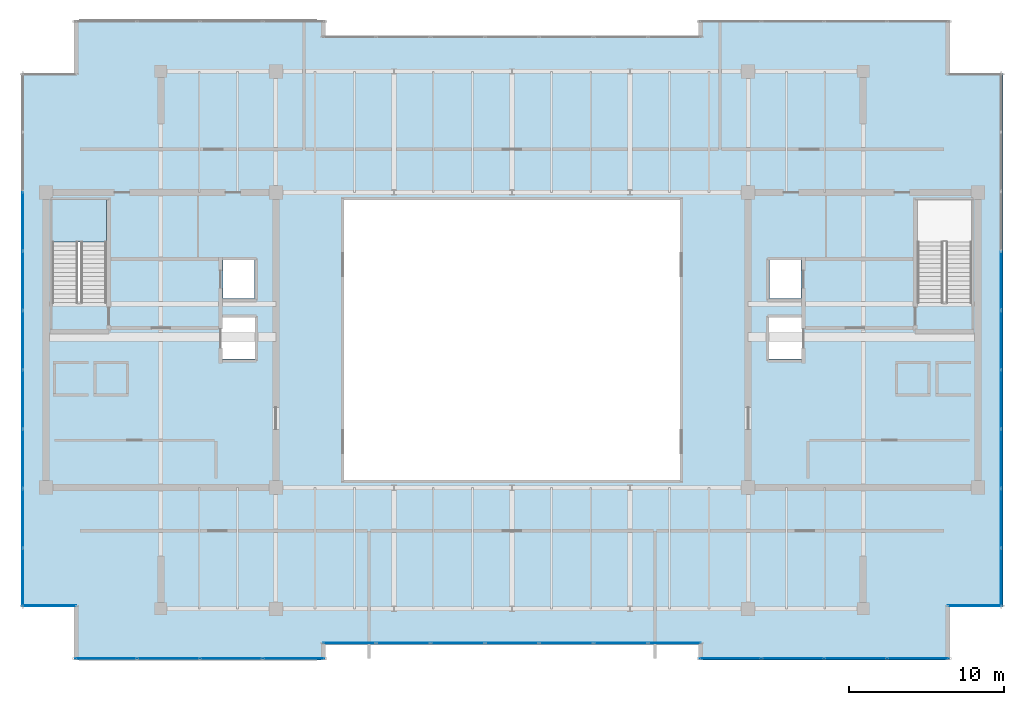
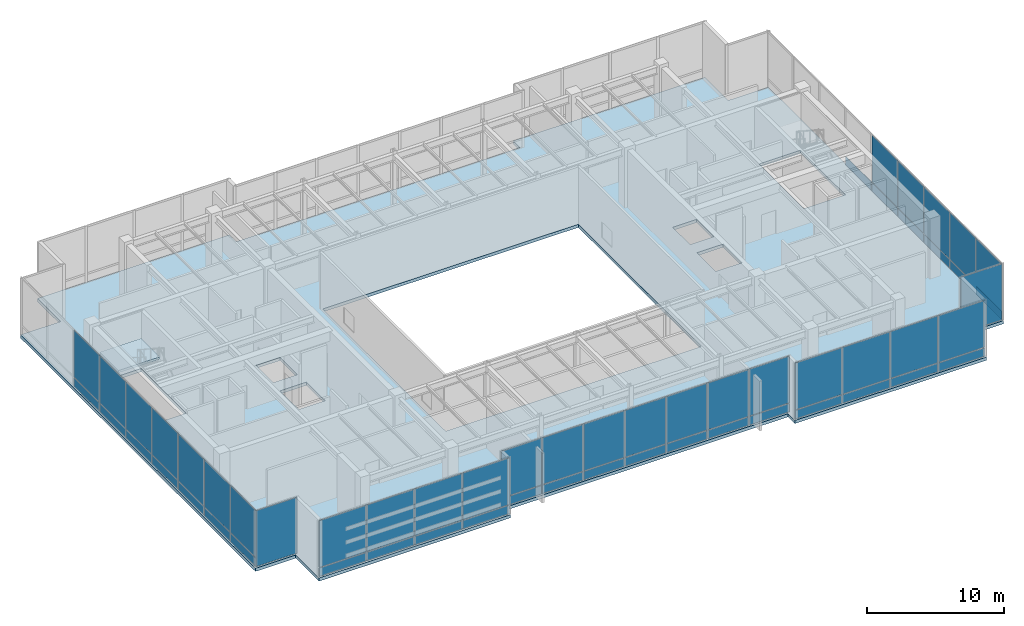
# One storey, part 23 of 30: 57 plates, 2 slabs, 8 elements without a shape of their own.
"""IFC4 building model written with IfcOpenShell, lengths in metres."""

from ifc_helpers import new_model, si_unit, direction, frame, origin, origin_2d, place, context, subcontext, project, spatial, polyline, rectangle, outline, extrude, source, transform, mapped, material, layer, layer_set, type_object, type_shapes, element, aggregate, save


model = new_model("IFC4")

# Units and contexts
model_context = context("Model", 3, precision=1e-05, world=origin(), true_north=direction((0.0, 1.0)))
body_context = subcontext(model_context, "Body", "Model", "MODEL_VIEW")
ifc_project = project(units=[si_unit("LENGTHUNIT", "METRE"), si_unit("AREAUNIT", "SQUARE_METRE"), si_unit("VOLUMEUNIT", "CUBIC_METRE"), si_unit("PLANEANGLEUNIT", "RADIAN"), si_unit("MASSUNIT", "GRAM", prefix="KILO")], contexts=[model_context])

# Site, building, storey
site_placement = place(None, origin())
site = spatial("IfcSite", under=ifc_project, at=site_placement, CompositionType="ELEMENT")
building_placement = place(site_placement, origin())
building = spatial("IfcBuilding", under=site, at=building_placement, Name="Haelvirn Gate Laboratories", CompositionType="ELEMENT")
storey_placement = place(building_placement, frame((0.0, 0.0, 327.0)))
storey = spatial("IfcBuildingStorey", under=building, at=storey_placement, Name="L78", CompositionType="ELEMENT", Elevation=327.0)

# Slab
ifc_material_1 = material(Name="Concrete C40/50", Category="concrete")
ifc_layer_1 = layer(ifc_material_1, 0.280029296875, Name="SL-CRN-280")
ifc_layer_set_1 = layer_set([ifc_layer_1], Name="Concrete C40/50")
slab_type_1 = type_object("IfcSlabType", Name="SL-CRN-280", PredefinedType="FLOOR", material=ifc_layer_set_1)
slab_1_placement = place(storey_placement, frame((0.0, 0.0, -0.280029296875)))
element("IfcSlab", 1, at=slab_1_placement, inside=storey, type_object=slab_type_1, Name="L78 Structural Slab MAIN", PredefinedType="FLOOR", context=body_context, shape_type="SweptSolid", body=[
    extrude(outline(polyline([(9.199951171875, 3.699951171875), (25.39990234375, 3.699951171875), (25.39990234375, 4.699951171875), (49.39990234375, 4.699951171875), (49.39990234375, 3.699951171875), (65.60009765625, 3.699951171875), (65.60009765625, 7.10009765625), (69.0, 7.10009765625), (69.0, 41.5), (65.60009765625, 41.5), (65.60009765625, 44.89990234375), (49.39990234375, 44.89990234375), (49.39990234375, 43.89990234375), (25.39990234375, 43.89990234375), (25.39990234375, 44.89990234375), (9.199951171875, 44.89990234375), (9.199951171875, 41.5), (5.800048828125, 41.5), (5.800048828125, 7.10009765625), (9.199951171875, 7.10009765625), (9.199951171875, 3.699951171875)]), holes=[polyline([(26.60009765625, 15.300048828125), (48.199951171875, 15.300048828125), (48.199951171875, 33.300048828125), (26.60009765625, 33.300048828125), (26.60009765625, 15.300048828125)]), polyline([(11.300048828125, 26.780029296875), (11.300048828125, 33.35009765625), (7.800048828125, 33.35009765625), (7.800048828125, 26.780029296875), (11.300048828125, 26.780029296875)]), polyline([(67.0, 26.780029296875), (67.0, 33.35009765625), (63.5, 33.35009765625), (63.5, 26.780029296875), (67.0, 26.780029296875)]), polyline([(18.7900390625, 26.969970703125), (20.81005859375, 26.969970703125), (20.81005859375, 29.510009765625), (18.7900390625, 29.510009765625), (18.7900390625, 26.969970703125)]), polyline([(18.68994140625, 23.070068359375), (20.909912109375, 23.070068359375), (20.909912109375, 25.81005859375), (18.68994140625, 25.81005859375), (18.68994140625, 23.070068359375)]), polyline([(53.989990234375, 26.969970703125), (56.010009765625, 26.969970703125), (56.010009765625, 29.510009765625), (53.989990234375, 29.510009765625), (53.989990234375, 26.969970703125)]), polyline([(53.889892578125, 23.070068359375), (56.110107421875, 23.070068359375), (56.110107421875, 25.81005859375), (53.889892578125, 25.81005859375), (53.889892578125, 23.070068359375)])]), origin(), (0.0, 0.0, 1.0), 0.280029296875),
])

# Stair, slab
stair_type = type_object("IfcStairType", Name="ST-DOG-1650-R30", PredefinedType="HALF_TURN_STAIR", material=ifc_material_1)
stair_placement = place(storey_placement, origin())
stair = element("IfcStair", 2, at=stair_placement, inside=storey, type_object=stair_type, Name="L78 Escape Stair ST1", PredefinedType="HALF_TURN_STAIR")
ifc_layer_2 = layer(ifc_material_1, 0.199951171875, Name="SL-STAIR-LND")
ifc_layer_set_2 = layer_set([ifc_layer_2], Name="Concrete C40/50")
slab_type_2 = type_object("IfcSlabType", Name="SL-STAIR-LND", PredefinedType="LANDING", material=ifc_layer_set_2)
slab_2_placement = place(storey_placement, frame((0.0, 0.0, 2.5)))
slab_2 = element("IfcSlab", 3, at=slab_2_placement, type_object=slab_type_2, Name="ST1 landing 1", PredefinedType="LANDING", context=body_context, shape_type="SweptSolid", body=[
    extrude(outline(polyline([(11.300048828125, 30.6201171875), (11.300048828125, 33.35009765625), (7.800048828125, 33.35009765625), (7.800048828125, 30.6201171875), (11.300048828125, 30.6201171875)])), origin(), (0.0, 0.0, 1.0), 0.199951171875),
])
aggregate(stair, [slab_2])

# Curtain wall, plates
ifc_material_2 = material(Name="Anodised bronze unitised aluminium & triple low-E glass", Category="aluminium")
ifc_layer_3 = layer(ifc_material_2, 0.19189453125, Name="CW-SYS-6")
ifc_layer_set_3 = layer_set([ifc_layer_3], Name="Anodised bronze unitised aluminium & triple low-E glass")
curtain_wall_type_1 = type_object("IfcCurtainWallType", Name="CW-SYS-6", PredefinedType="NOTDEFINED", material=ifc_layer_set_3)
curtain_wall_1_placement = place(storey_placement, origin())
curtain_wall_1 = element("IfcCurtainWall", 4, at=curtain_wall_1_placement, inside=storey, type_object=curtain_wall_type_1, Name="L78 Unitised Curtain Wall CW-L78-P0-E00-1", PredefinedType="NOTDEFINED")
ifc_material_3 = material(Name="Ceramic-fritted bronze acoustic crown glazing 52 mm", Category="glass")
ifc_layer_4 = layer(ifc_material_3, 0.052001953125, Name="CWP-FRT-52")
ifc_layer_set_4 = layer_set([ifc_layer_4], Name="Ceramic-fritted bronze acoustic crown glazing 52 mm")
plate_type_1 = type_object("IfcPlateType", Name="CWP-FRT-52", PredefinedType="CURTAIN_PANEL", material=ifc_layer_set_4)
shared_shape_1 = source(origin(), body_context, "Body", "SweptSolid", [
    extrude(rectangle(XDim=3.929931640625, YDim=0.052001953125, at=origin_2d()), origin(), (0.0, 0.0, 1.0), 0.7451171875),
])
plate_1_placement = place(storey_placement, frame((11.2451171875, 3.800048828125, 0.06982421875), z_axis=(0.0, 0.0, 1.0), x_axis=(1.0, 0.0, 0.0)))
plate_1 = element("IfcPlate", 5, at=plate_1_placement, type_object=plate_type_1, Name="CW6 panel 1.1", PredefinedType="CURTAIN_PANEL", context=body_context, shape_type="MappedRepresentation", body=[
    mapped(shared_shape_1, transform((0.0, 0.0, 0.0), scale=1.0)),
])
plate_2_placement = place(storey_placement, frame((23.35498046875, 3.800048828125, 0.06982421875), z_axis=(0.0, 0.0, 1.0), x_axis=(1.0, 0.0, 0.0)))
plate_2 = element("IfcPlate", 6, at=plate_2_placement, type_object=plate_type_1, Name="CW6 panel 4.1", PredefinedType="CURTAIN_PANEL", context=body_context, shape_type="MappedRepresentation", body=[
    mapped(shared_shape_1, transform((0.0, 0.0, 0.0), scale=1.0)),
])

curtain_wall_2_placement = place(storey_placement, origin())
curtain_wall_2 = element("IfcCurtainWall", 7, at=curtain_wall_2_placement, inside=storey, type_object=curtain_wall_type_1, Name="L78 Unitised Curtain Wall CW-L78-P0-E04-1", PredefinedType="NOTDEFINED")
plate_3_placement = place(storey_placement, frame((51.445068359375, 3.800048828125, 0.06982421875), z_axis=(0.0, 0.0, 1.0), x_axis=(1.0, 0.0, 0.0)))
plate_3 = element("IfcPlate", 8, at=plate_3_placement, type_object=plate_type_1, Name="CW6 panel 1.1", PredefinedType="CURTAIN_PANEL", context=body_context, shape_type="MappedRepresentation", body=[
    mapped(shared_shape_1, transform((0.0, 0.0, 0.0), scale=1.0)),
])
plate_4_placement = place(storey_placement, frame((63.554931640625, 3.800048828125, 0.06982421875), z_axis=(0.0, 0.0, 1.0), x_axis=(1.0, 0.0, 0.0)))
plate_4 = element("IfcPlate", 9, at=plate_4_placement, type_object=plate_type_1, Name="CW6 panel 4.1", PredefinedType="CURTAIN_PANEL", context=body_context, shape_type="MappedRepresentation", body=[
    mapped(shared_shape_1, transform((0.0, 0.0, 0.0), scale=1.0)),
])

# Plate
shared_shape_2 = source(origin(), body_context, "Body", "SweptSolid", [
    extrude(rectangle(XDim=3.929931640625, YDim=0.052001953125, at=origin_2d()), origin(), (0.0, 0.0, 1.0), 4.1650390625),
])
plate_5_placement = place(storey_placement, frame((11.2451171875, 3.800048828125, 0.885009765625), z_axis=(0.0, 0.0, 1.0), x_axis=(1.0, 0.0, 0.0)))
plate_5 = element("IfcPlate", 10, at=plate_5_placement, type_object=plate_type_1, Name="CW6 panel 1.2", PredefinedType="CURTAIN_PANEL", context=body_context, shape_type="MappedRepresentation", body=[
    mapped(shared_shape_2, transform((0.0, 0.0, 0.0), scale=1.0)),
])

plate_6_placement = place(storey_placement, frame((23.35498046875, 3.800048828125, 0.885009765625), z_axis=(0.0, 0.0, 1.0), x_axis=(1.0, 0.0, 0.0)))
plate_6 = element("IfcPlate", 11, at=plate_6_placement, type_object=plate_type_1, Name="CW6 panel 4.2", PredefinedType="CURTAIN_PANEL", context=body_context, shape_type="MappedRepresentation", body=[
    mapped(shared_shape_2, transform((0.0, 0.0, 0.0), scale=1.0)),
])

plate_7_placement = place(storey_placement, frame((51.445068359375, 3.800048828125, 0.885009765625), z_axis=(0.0, 0.0, 1.0), x_axis=(1.0, 0.0, 0.0)))
plate_7 = element("IfcPlate", 12, at=plate_7_placement, type_object=plate_type_1, Name="CW6 panel 1.2", PredefinedType="CURTAIN_PANEL", context=body_context, shape_type="MappedRepresentation", body=[
    mapped(shared_shape_2, transform((0.0, 0.0, 0.0), scale=1.0)),
])

plate_8_placement = place(storey_placement, frame((63.554931640625, 3.800048828125, 0.885009765625), z_axis=(0.0, 0.0, 1.0), x_axis=(1.0, 0.0, 0.0)))
plate_8 = element("IfcPlate", 13, at=plate_8_placement, type_object=plate_type_1, Name="CW6 panel 4.2", PredefinedType="CURTAIN_PANEL", context=body_context, shape_type="MappedRepresentation", body=[
    mapped(shared_shape_2, transform((0.0, 0.0, 0.0), scale=1.0)),
])

shared_shape_3 = source(origin(), body_context, "Body", "SweptSolid", [
    extrude(rectangle(XDim=3.969970703125, YDim=0.052001953125, at=origin_2d()), origin(), (0.0, 0.0, 1.0), 0.7451171875),
])
plate_9_placement = place(storey_placement, frame((15.27490234375, 3.800048828125, 0.06982421875), z_axis=(0.0, 0.0, 1.0), x_axis=(1.0, 0.0, 0.0)))
plate_9 = element("IfcPlate", 14, at=plate_9_placement, type_object=plate_type_1, Name="CW6 panel 2.1", PredefinedType="CURTAIN_PANEL", context=body_context, shape_type="MappedRepresentation", body=[
    mapped(shared_shape_3, transform((0.0, 0.0, 0.0), scale=1.0)),
])

plate_10_placement = place(storey_placement, frame((19.324951171875, 3.800048828125, 0.06982421875), z_axis=(0.0, 0.0, 1.0), x_axis=(1.0, 0.0, 0.0)))
plate_10 = element("IfcPlate", 15, at=plate_10_placement, type_object=plate_type_1, Name="CW6 panel 3.1", PredefinedType="CURTAIN_PANEL", context=body_context, shape_type="MappedRepresentation", body=[
    mapped(shared_shape_3, transform((0.0, 0.0, 0.0), scale=1.0)),
])

plate_11_placement = place(storey_placement, frame((55.47509765625, 3.800048828125, 0.06982421875), z_axis=(0.0, 0.0, 1.0), x_axis=(1.0, 0.0, 0.0)))
plate_11 = element("IfcPlate", 16, at=plate_11_placement, type_object=plate_type_1, Name="CW6 panel 2.1", PredefinedType="CURTAIN_PANEL", context=body_context, shape_type="MappedRepresentation", body=[
    mapped(shared_shape_3, transform((0.0, 0.0, 0.0), scale=1.0)),
])

plate_12_placement = place(storey_placement, frame((59.52490234375, 3.800048828125, 0.06982421875), z_axis=(0.0, 0.0, 1.0), x_axis=(1.0, 0.0, 0.0)))
plate_12 = element("IfcPlate", 17, at=plate_12_placement, type_object=plate_type_1, Name="CW6 panel 3.1", PredefinedType="CURTAIN_PANEL", context=body_context, shape_type="MappedRepresentation", body=[
    mapped(shared_shape_3, transform((0.0, 0.0, 0.0), scale=1.0)),
])

shared_shape_4 = source(origin(), body_context, "Body", "SweptSolid", [
    extrude(rectangle(XDim=3.969970703125, YDim=0.052001953125, at=origin_2d()), origin(), (0.0, 0.0, 1.0), 4.1650390625),
])
plate_13_placement = place(storey_placement, frame((15.27490234375, 3.800048828125, 0.885009765625), z_axis=(0.0, 0.0, 1.0), x_axis=(1.0, 0.0, 0.0)))
plate_13 = element("IfcPlate", 18, at=plate_13_placement, type_object=plate_type_1, Name="CW6 panel 2.2", PredefinedType="CURTAIN_PANEL", context=body_context, shape_type="MappedRepresentation", body=[
    mapped(shared_shape_4, transform((0.0, 0.0, 0.0), scale=1.0)),
])

plate_14_placement = place(storey_placement, frame((19.324951171875, 3.800048828125, 0.885009765625), z_axis=(0.0, 0.0, 1.0), x_axis=(1.0, 0.0, 0.0)))
plate_14 = element("IfcPlate", 19, at=plate_14_placement, type_object=plate_type_1, Name="CW6 panel 3.2", PredefinedType="CURTAIN_PANEL", context=body_context, shape_type="MappedRepresentation", body=[
    mapped(shared_shape_4, transform((0.0, 0.0, 0.0), scale=1.0)),
])

aggregate(curtain_wall_1, [plate_1, plate_5, plate_9, plate_13, plate_10, plate_14, plate_2, plate_6])

plate_15_placement = place(storey_placement, frame((55.47509765625, 3.800048828125, 0.885009765625), z_axis=(0.0, 0.0, 1.0), x_axis=(1.0, 0.0, 0.0)))
plate_15 = element("IfcPlate", 20, at=plate_15_placement, type_object=plate_type_1, Name="CW6 panel 2.2", PredefinedType="CURTAIN_PANEL", context=body_context, shape_type="MappedRepresentation", body=[
    mapped(shared_shape_4, transform((0.0, 0.0, 0.0), scale=1.0)),
])

plate_16_placement = place(storey_placement, frame((59.52490234375, 3.800048828125, 0.885009765625), z_axis=(0.0, 0.0, 1.0), x_axis=(1.0, 0.0, 0.0)))
plate_16 = element("IfcPlate", 21, at=plate_16_placement, type_object=plate_type_1, Name="CW6 panel 3.2", PredefinedType="CURTAIN_PANEL", context=body_context, shape_type="MappedRepresentation", body=[
    mapped(shared_shape_4, transform((0.0, 0.0, 0.0), scale=1.0)),
])

aggregate(curtain_wall_2, [plate_3, plate_7, plate_11, plate_15, plate_12, plate_16, plate_4, plate_8])

# Curtain wall, plates
curtain_wall_3_placement = place(storey_placement, origin())
curtain_wall_3 = element("IfcCurtainWall", 22, at=curtain_wall_3_placement, inside=storey, type_object=curtain_wall_type_1, Name="L78 Unitised Curtain Wall CW-L78-P0-E02-1", PredefinedType="NOTDEFINED")
shared_shape_5 = source(origin(), body_context, "Body", "SweptSolid", [
    extrude(rectangle(XDim=3.377197265625, YDim=0.052001953125, at=origin_2d()), origin(), (0.0, 0.0, 1.0), 0.7451171875),
])
plate_17_placement = place(storey_placement, frame((26.928466796875, 4.800048828125, 0.06982421875), z_axis=(0.0, 0.0, 1.0), x_axis=(1.0, 0.0, 0.0)))
plate_17 = element("IfcPlate", 23, at=plate_17_placement, type_object=plate_type_1, Name="CW6 panel 1.1", PredefinedType="CURTAIN_PANEL", context=body_context, shape_type="MappedRepresentation", body=[
    mapped(shared_shape_5, transform((0.0, 0.0, 0.0), scale=1.0)),
])
plate_18_placement = place(storey_placement, frame((47.871337890625, 4.800048828125, 0.06982421875), z_axis=(0.0, 0.0, 1.0), x_axis=(1.0, 0.0, 0.0)))
plate_18 = element("IfcPlate", 24, at=plate_18_placement, type_object=plate_type_1, Name="CW6 panel 7.1", PredefinedType="CURTAIN_PANEL", context=body_context, shape_type="MappedRepresentation", body=[
    mapped(shared_shape_5, transform((0.0, 0.0, 0.0), scale=1.0)),
])
shared_shape_6 = source(origin(), body_context, "Body", "SweptSolid", [
    extrude(rectangle(XDim=3.377197265625, YDim=0.052001953125, at=origin_2d()), origin(), (0.0, 0.0, 1.0), 4.1650390625),
])
plate_19_placement = place(storey_placement, frame((26.928466796875, 4.800048828125, 0.885009765625), z_axis=(0.0, 0.0, 1.0), x_axis=(1.0, 0.0, 0.0)))
plate_19 = element("IfcPlate", 25, at=plate_19_placement, type_object=plate_type_1, Name="CW6 panel 1.2", PredefinedType="CURTAIN_PANEL", context=body_context, shape_type="MappedRepresentation", body=[
    mapped(shared_shape_6, transform((0.0, 0.0, 0.0), scale=1.0)),
])
plate_20_placement = place(storey_placement, frame((47.871337890625, 4.800048828125, 0.885009765625), z_axis=(0.0, 0.0, 1.0), x_axis=(1.0, 0.0, 0.0)))
plate_20 = element("IfcPlate", 26, at=plate_20_placement, type_object=plate_type_1, Name="CW6 panel 7.2", PredefinedType="CURTAIN_PANEL", context=body_context, shape_type="MappedRepresentation", body=[
    mapped(shared_shape_6, transform((0.0, 0.0, 0.0), scale=1.0)),
])
shared_shape_7 = source(origin(), body_context, "Body", "SweptSolid", [
    extrude(rectangle(XDim=3.417236328125, YDim=0.052001953125, at=origin_2d()), origin(), (0.0, 0.0, 1.0), 0.7451171875),
])
plate_21_placement = place(storey_placement, frame((30.40576171875, 4.800048828125, 0.06982421875), z_axis=(0.0, 0.0, 1.0), x_axis=(1.0, 0.0, 0.0)))
plate_21 = element("IfcPlate", 27, at=plate_21_placement, type_object=plate_type_1, Name="CW6 panel 2.1", PredefinedType="CURTAIN_PANEL", context=body_context, shape_type="MappedRepresentation", body=[
    mapped(shared_shape_7, transform((0.0, 0.0, 0.0), scale=1.0)),
])
plate_22_placement = place(storey_placement, frame((33.90283203125, 4.800048828125, 0.06982421875), z_axis=(0.0, 0.0, 1.0), x_axis=(1.0, 0.0, 0.0)))
plate_22 = element("IfcPlate", 28, at=plate_22_placement, type_object=plate_type_1, Name="CW6 panel 3.1", PredefinedType="CURTAIN_PANEL", context=body_context, shape_type="MappedRepresentation", body=[
    mapped(shared_shape_7, transform((0.0, 0.0, 0.0), scale=1.0)),
])
plate_23_placement = place(storey_placement, frame((37.39990234375, 4.800048828125, 0.06982421875), z_axis=(0.0, 0.0, 1.0), x_axis=(1.0, 0.0, 0.0)))
plate_23 = element("IfcPlate", 29, at=plate_23_placement, type_object=plate_type_1, Name="CW6 panel 4.1", PredefinedType="CURTAIN_PANEL", context=body_context, shape_type="MappedRepresentation", body=[
    mapped(shared_shape_7, transform((0.0, 0.0, 0.0), scale=1.0)),
])
plate_24_placement = place(storey_placement, frame((40.897216796875, 4.800048828125, 0.06982421875), z_axis=(0.0, 0.0, 1.0), x_axis=(1.0, 0.0, 0.0)))
plate_24 = element("IfcPlate", 30, at=plate_24_placement, type_object=plate_type_1, Name="CW6 panel 5.1", PredefinedType="CURTAIN_PANEL", context=body_context, shape_type="MappedRepresentation", body=[
    mapped(shared_shape_7, transform((0.0, 0.0, 0.0), scale=1.0)),
])
plate_25_placement = place(storey_placement, frame((44.394287109375, 4.800048828125, 0.06982421875), z_axis=(0.0, 0.0, 1.0), x_axis=(1.0, 0.0, 0.0)))
plate_25 = element("IfcPlate", 31, at=plate_25_placement, type_object=plate_type_1, Name="CW6 panel 6.1", PredefinedType="CURTAIN_PANEL", context=body_context, shape_type="MappedRepresentation", body=[
    mapped(shared_shape_7, transform((0.0, 0.0, 0.0), scale=1.0)),
])
shared_shape_8 = source(origin(), body_context, "Body", "SweptSolid", [
    extrude(rectangle(XDim=3.417236328125, YDim=0.052001953125, at=origin_2d()), origin(), (0.0, 0.0, 1.0), 4.1650390625),
])
plate_26_placement = place(storey_placement, frame((30.40576171875, 4.800048828125, 0.885009765625), z_axis=(0.0, 0.0, 1.0), x_axis=(1.0, 0.0, 0.0)))
plate_26 = element("IfcPlate", 32, at=plate_26_placement, type_object=plate_type_1, Name="CW6 panel 2.2", PredefinedType="CURTAIN_PANEL", context=body_context, shape_type="MappedRepresentation", body=[
    mapped(shared_shape_8, transform((0.0, 0.0, 0.0), scale=1.0)),
])
plate_27_placement = place(storey_placement, frame((33.90283203125, 4.800048828125, 0.885009765625), z_axis=(0.0, 0.0, 1.0), x_axis=(1.0, 0.0, 0.0)))
plate_27 = element("IfcPlate", 33, at=plate_27_placement, type_object=plate_type_1, Name="CW6 panel 3.2", PredefinedType="CURTAIN_PANEL", context=body_context, shape_type="MappedRepresentation", body=[
    mapped(shared_shape_8, transform((0.0, 0.0, 0.0), scale=1.0)),
])
plate_28_placement = place(storey_placement, frame((37.39990234375, 4.800048828125, 0.885009765625), z_axis=(0.0, 0.0, 1.0), x_axis=(1.0, 0.0, 0.0)))
plate_28 = element("IfcPlate", 34, at=plate_28_placement, type_object=plate_type_1, Name="CW6 panel 4.2", PredefinedType="CURTAIN_PANEL", context=body_context, shape_type="MappedRepresentation", body=[
    mapped(shared_shape_8, transform((0.0, 0.0, 0.0), scale=1.0)),
])
plate_29_placement = place(storey_placement, frame((40.897216796875, 4.800048828125, 0.885009765625), z_axis=(0.0, 0.0, 1.0), x_axis=(1.0, 0.0, 0.0)))
plate_29 = element("IfcPlate", 35, at=plate_29_placement, type_object=plate_type_1, Name="CW6 panel 5.2", PredefinedType="CURTAIN_PANEL", context=body_context, shape_type="MappedRepresentation", body=[
    mapped(shared_shape_8, transform((0.0, 0.0, 0.0), scale=1.0)),
])
plate_30_placement = place(storey_placement, frame((44.394287109375, 4.800048828125, 0.885009765625), z_axis=(0.0, 0.0, 1.0), x_axis=(1.0, 0.0, 0.0)))
plate_30 = element("IfcPlate", 36, at=plate_30_placement, type_object=plate_type_1, Name="CW6 panel 6.2", PredefinedType="CURTAIN_PANEL", context=body_context, shape_type="MappedRepresentation", body=[
    mapped(shared_shape_8, transform((0.0, 0.0, 0.0), scale=1.0)),
])
aggregate(curtain_wall_3, [plate_17, plate_19, plate_21, plate_26, plate_22, plate_27, plate_23, plate_28, plate_24, plate_29, plate_25, plate_30, plate_18, plate_20])

# Curtain wall, plate
ifc_layer_5 = layer(ifc_material_2, 0.181884765625, Name="CW-SYS-5")
ifc_layer_set_5 = layer_set([ifc_layer_5], Name="Anodised bronze unitised aluminium & triple low-E glass")
curtain_wall_type_2 = type_object("IfcCurtainWallType", Name="CW-SYS-5", PredefinedType="NOTDEFINED", material=ifc_layer_set_5)
curtain_wall_4_placement = place(storey_placement, origin())
curtain_wall_4 = element("IfcCurtainWall", 37, at=curtain_wall_4_placement, inside=storey, type_object=curtain_wall_type_2, Name="L78 Unitised Curtain Wall CW-L78-P0-E06-1", PredefinedType="NOTDEFINED")
ifc_material_4 = material(Name="Clear low-iron notched-corner triple IGU 42 mm", Category="glass")
ifc_layer_6 = layer(ifc_material_4, 0.0419921875, Name="CWP-NTC-42")
ifc_layer_set_6 = layer_set([ifc_layer_6], Name="Clear low-iron notched-corner triple IGU 42 mm")
plate_type_2 = type_object("IfcPlateType", Name="CWP-NTC-42", PredefinedType="CURTAIN_PANEL", material=ifc_layer_set_6)
shared_shape_9 = source(origin(), body_context, "Body", "SweptSolid", [
    extrude(rectangle(XDim=3.47998046875, YDim=0.0419921875, at=origin_2d()), origin(), (0.0, 0.0, 1.0), 4.989990234375),
])
type_shapes(plate_type_2, [shared_shape_9])
plate_31_placement = place(storey_placement, frame((67.179931640625, 7.199951171875, 0.06494140625), z_axis=(0.0, 0.0, 1.0), x_axis=(1.0, 0.0, 0.0)))
plate_31 = element("IfcPlate", 38, at=plate_31_placement, type_object=plate_type_2, Name="CW5 panel 1.1", PredefinedType="CURTAIN_PANEL", context=body_context, shape_type="MappedRepresentation", body=[
    mapped(shared_shape_9, transform((0.0, 0.0, 0.0), scale=1.0)),
])
aggregate(curtain_wall_4, [plate_31])

curtain_wall_5_placement = place(storey_placement, origin())
curtain_wall_5 = element("IfcCurtainWall", 39, at=curtain_wall_5_placement, inside=storey, type_object=curtain_wall_type_2, Name="L78 Unitised Curtain Wall CW-L78-P0-E18-1", PredefinedType="NOTDEFINED")
plate_32_placement = place(storey_placement, frame((7.6201171875, 7.199951171875, 0.06494140625), z_axis=(0.0, 0.0, 1.0), x_axis=(1.0, 0.0, 0.0)))
plate_32 = element("IfcPlate", 40, at=plate_32_placement, type_object=plate_type_2, Name="CW5 panel 1.1", PredefinedType="CURTAIN_PANEL", context=body_context, shape_type="MappedRepresentation", body=[
    mapped(shared_shape_9, transform((0.0, 0.0, 0.0), scale=1.0)),
])
aggregate(curtain_wall_5, [plate_32])

curtain_wall_6_placement = place(storey_placement, origin())
curtain_wall_6 = element("IfcCurtainWall", 41, at=curtain_wall_6_placement, inside=storey, type_object=curtain_wall_type_1, Name="L78 Unitised Curtain Wall CW-L78-P0-E07", PredefinedType="NOTDEFINED")
shared_shape_10 = source(origin(), body_context, "Body", "SweptSolid", [
    extrude(rectangle(XDim=3.7021484375, YDim=0.052001953125, at=origin_2d()), origin(), (0.0, 0.0, 1.0), 0.7451171875),
])
plate_33_placement = place(storey_placement, frame((68.89990234375, 9.031005859375, 0.06982421875), z_axis=(0.0, 0.0, 1.0), x_axis=(0.0, 1.0, 0.0)))
plate_33 = element("IfcPlate", 42, at=plate_33_placement, type_object=plate_type_1, Name="CW6 panel 1.1", PredefinedType="CURTAIN_PANEL", context=body_context, shape_type="MappedRepresentation", body=[
    mapped(shared_shape_10, transform((0.0, 0.0, 0.0), scale=1.0)),
])

curtain_wall_7_placement = place(storey_placement, origin())
curtain_wall_7 = element("IfcCurtainWall", 43, at=curtain_wall_7_placement, inside=storey, type_object=curtain_wall_type_1, Name="L78 Unitised Curtain Wall CW-L78-P0-E17", PredefinedType="NOTDEFINED")
plate_34_placement = place(storey_placement, frame((5.89990234375, 9.031005859375, 0.06982421875), z_axis=(0.0, 0.0, 1.0), x_axis=(0.0, -1.0, 0.0)))
plate_34 = element("IfcPlate", 44, at=plate_34_placement, type_object=plate_type_1, Name="CW6 panel 9.1", PredefinedType="CURTAIN_PANEL", context=body_context, shape_type="MappedRepresentation", body=[
    mapped(shared_shape_10, transform((0.0, 0.0, 0.0), scale=1.0)),
])

# Plate
shared_shape_11 = source(origin(), body_context, "Body", "SweptSolid", [
    extrude(rectangle(XDim=3.7021484375, YDim=0.052001953125, at=origin_2d()), origin(), (0.0, 0.0, 1.0), 4.1650390625),
])
plate_35_placement = place(storey_placement, frame((68.89990234375, 9.031005859375, 0.885009765625), z_axis=(0.0, 0.0, 1.0), x_axis=(0.0, 1.0, 0.0)))
plate_35 = element("IfcPlate", 45, at=plate_35_placement, type_object=plate_type_1, Name="CW6 panel 1.2", PredefinedType="CURTAIN_PANEL", context=body_context, shape_type="MappedRepresentation", body=[
    mapped(shared_shape_11, transform((0.0, 0.0, 0.0), scale=1.0)),
])

plate_36_placement = place(storey_placement, frame((5.89990234375, 9.031005859375, 0.885009765625), z_axis=(0.0, 0.0, 1.0), x_axis=(0.0, -1.0, 0.0)))
plate_36 = element("IfcPlate", 46, at=plate_36_placement, type_object=plate_type_1, Name="CW6 panel 9.2", PredefinedType="CURTAIN_PANEL", context=body_context, shape_type="MappedRepresentation", body=[
    mapped(shared_shape_11, transform((0.0, 0.0, 0.0), scale=1.0)),
])

shared_shape_12 = source(origin(), body_context, "Body", "SweptSolid", [
    extrude(rectangle(XDim=3.7421875, YDim=0.052001953125, at=origin_2d()), origin(), (0.0, 0.0, 1.0), 0.7451171875),
])
plate_37_placement = place(storey_placement, frame((68.89990234375, 12.833251953125, 0.06982421875), z_axis=(0.0, 0.0, 1.0), x_axis=(0.0, 1.0, 0.0)))
plate_37 = element("IfcPlate", 47, at=plate_37_placement, type_object=plate_type_1, Name="CW6 panel 2.1", PredefinedType="CURTAIN_PANEL", context=body_context, shape_type="MappedRepresentation", body=[
    mapped(shared_shape_12, transform((0.0, 0.0, 0.0), scale=1.0)),
])

plate_38_placement = place(storey_placement, frame((68.89990234375, 16.655517578125, 0.06982421875), z_axis=(0.0, 0.0, 1.0), x_axis=(0.0, 1.0, 0.0)))
plate_38 = element("IfcPlate", 48, at=plate_38_placement, type_object=plate_type_1, Name="CW6 panel 3.1", PredefinedType="CURTAIN_PANEL", context=body_context, shape_type="MappedRepresentation", body=[
    mapped(shared_shape_12, transform((0.0, 0.0, 0.0), scale=1.0)),
])

plate_39_placement = place(storey_placement, frame((68.89990234375, 20.477783203125, 0.06982421875), z_axis=(0.0, 0.0, 1.0), x_axis=(0.0, 1.0, 0.0)))
plate_39 = element("IfcPlate", 49, at=plate_39_placement, type_object=plate_type_1, Name="CW6 panel 4.1", PredefinedType="CURTAIN_PANEL", context=body_context, shape_type="MappedRepresentation", body=[
    mapped(shared_shape_12, transform((0.0, 0.0, 0.0), scale=1.0)),
])

plate_40_placement = place(storey_placement, frame((68.89990234375, 24.300048828125, 0.06982421875), z_axis=(0.0, 0.0, 1.0), x_axis=(0.0, 1.0, 0.0)))
plate_40 = element("IfcPlate", 50, at=plate_40_placement, type_object=plate_type_1, Name="CW6 panel 5.1", PredefinedType="CURTAIN_PANEL", context=body_context, shape_type="MappedRepresentation", body=[
    mapped(shared_shape_12, transform((0.0, 0.0, 0.0), scale=1.0)),
])

plate_41_placement = place(storey_placement, frame((68.89990234375, 28.122314453125, 0.06982421875), z_axis=(0.0, 0.0, 1.0), x_axis=(0.0, 1.0, 0.0)))
plate_41 = element("IfcPlate", 51, at=plate_41_placement, type_object=plate_type_1, Name="CW6 panel 6.1", PredefinedType="CURTAIN_PANEL", context=body_context, shape_type="MappedRepresentation", body=[
    mapped(shared_shape_12, transform((0.0, 0.0, 0.0), scale=1.0)),
])

plate_42_placement = place(storey_placement, frame((5.89990234375, 31.9443359375, 0.06982421875), z_axis=(0.0, 0.0, 1.0), x_axis=(0.0, -1.0, 0.0)))
plate_42 = element("IfcPlate", 52, at=plate_42_placement, type_object=plate_type_1, Name="CW6 panel 3.1", PredefinedType="CURTAIN_PANEL", context=body_context, shape_type="MappedRepresentation", body=[
    mapped(shared_shape_12, transform((0.0, 0.0, 0.0), scale=1.0)),
])

plate_43_placement = place(storey_placement, frame((5.89990234375, 28.122314453125, 0.06982421875), z_axis=(0.0, 0.0, 1.0), x_axis=(0.0, -1.0, 0.0)))
plate_43 = element("IfcPlate", 53, at=plate_43_placement, type_object=plate_type_1, Name="CW6 panel 4.1", PredefinedType="CURTAIN_PANEL", context=body_context, shape_type="MappedRepresentation", body=[
    mapped(shared_shape_12, transform((0.0, 0.0, 0.0), scale=1.0)),
])

plate_44_placement = place(storey_placement, frame((5.89990234375, 24.300048828125, 0.06982421875), z_axis=(0.0, 0.0, 1.0), x_axis=(0.0, -1.0, 0.0)))
plate_44 = element("IfcPlate", 54, at=plate_44_placement, type_object=plate_type_1, Name="CW6 panel 5.1", PredefinedType="CURTAIN_PANEL", context=body_context, shape_type="MappedRepresentation", body=[
    mapped(shared_shape_12, transform((0.0, 0.0, 0.0), scale=1.0)),
])

plate_45_placement = place(storey_placement, frame((5.89990234375, 20.477783203125, 0.06982421875), z_axis=(0.0, 0.0, 1.0), x_axis=(0.0, -1.0, 0.0)))
plate_45 = element("IfcPlate", 55, at=plate_45_placement, type_object=plate_type_1, Name="CW6 panel 6.1", PredefinedType="CURTAIN_PANEL", context=body_context, shape_type="MappedRepresentation", body=[
    mapped(shared_shape_12, transform((0.0, 0.0, 0.0), scale=1.0)),
])

plate_46_placement = place(storey_placement, frame((5.89990234375, 16.655517578125, 0.06982421875), z_axis=(0.0, 0.0, 1.0), x_axis=(0.0, -1.0, 0.0)))
plate_46 = element("IfcPlate", 56, at=plate_46_placement, type_object=plate_type_1, Name="CW6 panel 7.1", PredefinedType="CURTAIN_PANEL", context=body_context, shape_type="MappedRepresentation", body=[
    mapped(shared_shape_12, transform((0.0, 0.0, 0.0), scale=1.0)),
])

plate_47_placement = place(storey_placement, frame((5.89990234375, 12.833251953125, 0.06982421875), z_axis=(0.0, 0.0, 1.0), x_axis=(0.0, -1.0, 0.0)))
plate_47 = element("IfcPlate", 57, at=plate_47_placement, type_object=plate_type_1, Name="CW6 panel 8.1", PredefinedType="CURTAIN_PANEL", context=body_context, shape_type="MappedRepresentation", body=[
    mapped(shared_shape_12, transform((0.0, 0.0, 0.0), scale=1.0)),
])

shared_shape_13 = source(origin(), body_context, "Body", "SweptSolid", [
    extrude(rectangle(XDim=3.7421875, YDim=0.052001953125, at=origin_2d()), origin(), (0.0, 0.0, 1.0), 4.1650390625),
])
type_shapes(plate_type_1, [shared_shape_1, shared_shape_2, shared_shape_3, shared_shape_4, shared_shape_5, shared_shape_6, shared_shape_7, shared_shape_8, shared_shape_10, shared_shape_11, shared_shape_12, shared_shape_13])
plate_48_placement = place(storey_placement, frame((68.89990234375, 12.833251953125, 0.885009765625), z_axis=(0.0, 0.0, 1.0), x_axis=(0.0, 1.0, 0.0)))
plate_48 = element("IfcPlate", 58, at=plate_48_placement, type_object=plate_type_1, Name="CW6 panel 2.2", PredefinedType="CURTAIN_PANEL", context=body_context, shape_type="MappedRepresentation", body=[
    mapped(shared_shape_13, transform((0.0, 0.0, 0.0), scale=1.0)),
])

plate_49_placement = place(storey_placement, frame((68.89990234375, 16.655517578125, 0.885009765625), z_axis=(0.0, 0.0, 1.0), x_axis=(0.0, 1.0, 0.0)))
plate_49 = element("IfcPlate", 59, at=plate_49_placement, type_object=plate_type_1, Name="CW6 panel 3.2", PredefinedType="CURTAIN_PANEL", context=body_context, shape_type="MappedRepresentation", body=[
    mapped(shared_shape_13, transform((0.0, 0.0, 0.0), scale=1.0)),
])

plate_50_placement = place(storey_placement, frame((68.89990234375, 20.477783203125, 0.885009765625), z_axis=(0.0, 0.0, 1.0), x_axis=(0.0, 1.0, 0.0)))
plate_50 = element("IfcPlate", 60, at=plate_50_placement, type_object=plate_type_1, Name="CW6 panel 4.2", PredefinedType="CURTAIN_PANEL", context=body_context, shape_type="MappedRepresentation", body=[
    mapped(shared_shape_13, transform((0.0, 0.0, 0.0), scale=1.0)),
])

plate_51_placement = place(storey_placement, frame((68.89990234375, 24.300048828125, 0.885009765625), z_axis=(0.0, 0.0, 1.0), x_axis=(0.0, 1.0, 0.0)))
plate_51 = element("IfcPlate", 61, at=plate_51_placement, type_object=plate_type_1, Name="CW6 panel 5.2", PredefinedType="CURTAIN_PANEL", context=body_context, shape_type="MappedRepresentation", body=[
    mapped(shared_shape_13, transform((0.0, 0.0, 0.0), scale=1.0)),
])

aggregate(curtain_wall_6, [plate_33, plate_35, plate_37, plate_48, plate_38, plate_49, plate_39, plate_50, plate_40, plate_51, plate_41])

plate_52_placement = place(storey_placement, frame((5.89990234375, 31.9443359375, 0.885009765625), z_axis=(0.0, 0.0, 1.0), x_axis=(0.0, -1.0, 0.0)))
plate_52 = element("IfcPlate", 62, at=plate_52_placement, type_object=plate_type_1, Name="CW6 panel 3.2", PredefinedType="CURTAIN_PANEL", context=body_context, shape_type="MappedRepresentation", body=[
    mapped(shared_shape_13, transform((0.0, 0.0, 0.0), scale=1.0)),
])

plate_53_placement = place(storey_placement, frame((5.89990234375, 28.122314453125, 0.885009765625), z_axis=(0.0, 0.0, 1.0), x_axis=(0.0, -1.0, 0.0)))
plate_53 = element("IfcPlate", 63, at=plate_53_placement, type_object=plate_type_1, Name="CW6 panel 4.2", PredefinedType="CURTAIN_PANEL", context=body_context, shape_type="MappedRepresentation", body=[
    mapped(shared_shape_13, transform((0.0, 0.0, 0.0), scale=1.0)),
])

plate_54_placement = place(storey_placement, frame((5.89990234375, 24.300048828125, 0.885009765625), z_axis=(0.0, 0.0, 1.0), x_axis=(0.0, -1.0, 0.0)))
plate_54 = element("IfcPlate", 64, at=plate_54_placement, type_object=plate_type_1, Name="CW6 panel 5.2", PredefinedType="CURTAIN_PANEL", context=body_context, shape_type="MappedRepresentation", body=[
    mapped(shared_shape_13, transform((0.0, 0.0, 0.0), scale=1.0)),
])

plate_55_placement = place(storey_placement, frame((5.89990234375, 20.477783203125, 0.885009765625), z_axis=(0.0, 0.0, 1.0), x_axis=(0.0, -1.0, 0.0)))
plate_55 = element("IfcPlate", 65, at=plate_55_placement, type_object=plate_type_1, Name="CW6 panel 6.2", PredefinedType="CURTAIN_PANEL", context=body_context, shape_type="MappedRepresentation", body=[
    mapped(shared_shape_13, transform((0.0, 0.0, 0.0), scale=1.0)),
])

plate_56_placement = place(storey_placement, frame((5.89990234375, 16.655517578125, 0.885009765625), z_axis=(0.0, 0.0, 1.0), x_axis=(0.0, -1.0, 0.0)))
plate_56 = element("IfcPlate", 66, at=plate_56_placement, type_object=plate_type_1, Name="CW6 panel 7.2", PredefinedType="CURTAIN_PANEL", context=body_context, shape_type="MappedRepresentation", body=[
    mapped(shared_shape_13, transform((0.0, 0.0, 0.0), scale=1.0)),
])

plate_57_placement = place(storey_placement, frame((5.89990234375, 12.833251953125, 0.885009765625), z_axis=(0.0, 0.0, 1.0), x_axis=(0.0, -1.0, 0.0)))
plate_57 = element("IfcPlate", 67, at=plate_57_placement, type_object=plate_type_1, Name="CW6 panel 8.2", PredefinedType="CURTAIN_PANEL", context=body_context, shape_type="MappedRepresentation", body=[
    mapped(shared_shape_13, transform((0.0, 0.0, 0.0), scale=1.0)),
])

aggregate(curtain_wall_7, [plate_42, plate_52, plate_43, plate_53, plate_44, plate_54, plate_45, plate_55, plate_46, plate_56, plate_47, plate_57, plate_34, plate_36])

save(model, "model.ifc")
